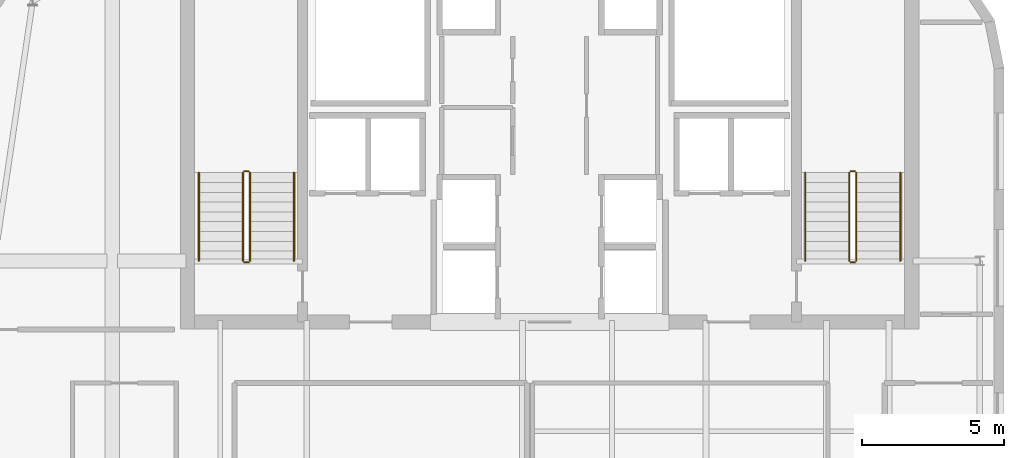
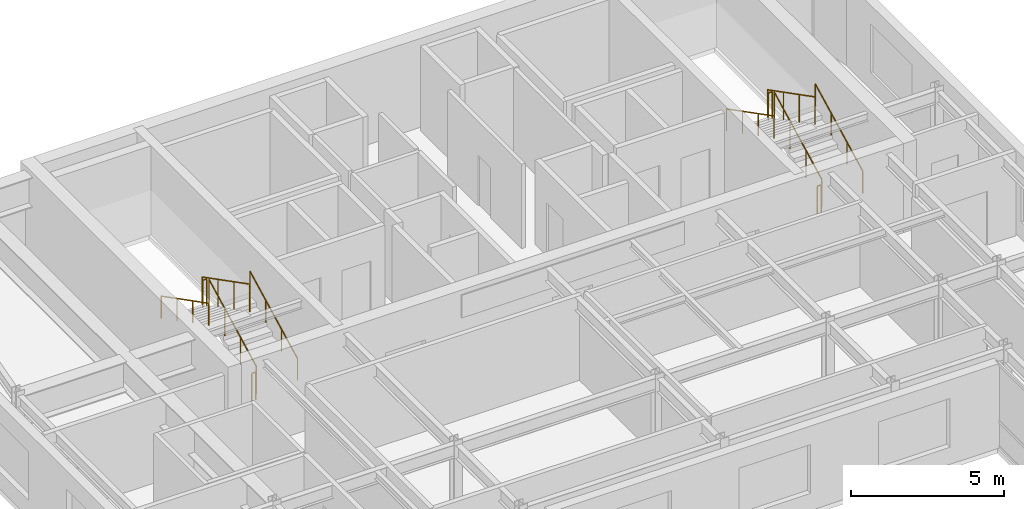
# One storey, part 18 of 18: 12 railings.
"""IFC4 building model written with IfcOpenShell, lengths in metres."""

from ifc_helpers import new_model, si_unit, direction, frame, origin, origin_2d, place, context, subcontext, project, spatial, circle, extrude, material, type_object, element, save


model = new_model("IFC4")

# Units and contexts
model_context = context("Model", 3, precision=1e-05, world=origin(), true_north=direction((0.0, 1.0)))
body_context = subcontext(model_context, "Body", "Model", "MODEL_VIEW")
ifc_project = project(units=[si_unit("LENGTHUNIT", "METRE"), si_unit("AREAUNIT", "SQUARE_METRE"), si_unit("VOLUMEUNIT", "CUBIC_METRE"), si_unit("PLANEANGLEUNIT", "RADIAN"), si_unit("MASSUNIT", "GRAM", prefix="KILO")], contexts=[model_context])

# Site, building, storey
site_placement = place(None, origin())
site = spatial("IfcSite", under=ifc_project, at=site_placement, CompositionType="ELEMENT")
building_placement = place(site_placement, origin())
building = spatial("IfcBuilding", under=site, at=building_placement, Name="Tolvann Quenvar Hotel", CompositionType="ELEMENT")
storey_placement = place(building_placement, frame((0.0, 0.0, 245.199951171875)))
storey = spatial("IfcBuildingStorey", under=building, at=storey_placement, Name="L65", CompositionType="ELEMENT", Elevation=245.199951171875)

# Railings
ifc_material = material(Name="Brushed 316 stainless steel balustrade and handrail", Category="steel")
railing_type_1 = type_object("IfcRailingType", Name="GUARDRAIL", PredefinedType="GUARDRAIL", material=ifc_material)
railing_1_placement = place(storey_placement, frame((12.449951171875, 34.0, 0.177490234375)))
element("IfcRailing", 1, at=railing_1_placement, inside=storey, type_object=railing_type_1, Name="L65 ST-C1 stair guard 1", PredefinedType="GUARDRAIL", context=body_context, shape_type="SweptSolid", body=[
    extrude(circle(Radius=0.02392578125, at=origin_2d()), frame((0.0, 0.0, 1.09619140625), z_axis=(0.0, 0.88919353882, 0.457531256332), x_axis=(-1.0, 0.0, 0.0)), (0.0, 0.0, 1.0), 3.491943359375),
    extrude(circle(Radius=0.02099609375, at=origin_2d()), origin(), (0.0, 0.0, 1.0), 1.072021484375),
    extrude(circle(Radius=0.02099609375, at=origin_2d()), frame((0.0, 1.034912109375, 0.532470703125)), (0.0, 0.0, 1.0), 1.072021484375),
    extrude(circle(Radius=0.02099609375, at=origin_2d()), frame((0.0, 2.070068359375, 1.065185546875)), (0.0, 0.0, 1.0), 1.072021484375),
    extrude(circle(Radius=0.02099609375, at=origin_2d()), frame((0.0, 3.10498046875, 1.59765625)), (0.0, 0.0, 1.0), 1.072021484375),
])
railing_2_placement = place(storey_placement, frame((12.39990234375, 37.155029296875, 1.775146484375)))
element("IfcRailing", 2, at=railing_2_placement, inside=storey, type_object=railing_type_1, Name="L65 ST-C1 stair guard 2", PredefinedType="GUARDRAIL", context=body_context, shape_type="SweptSolid", body=[
    extrude(circle(Radius=0.02392578125, at=origin_2d()), frame((0.0, 0.0, 1.09619140625), z_axis=(-1.0, 0.0, 0.0), x_axis=(0.0, -1.0, 0.0)), (0.0, 0.0, 1.0), 0.14990234375),
    extrude(circle(Radius=0.02099609375, at=origin_2d()), origin(), (0.0, 0.0, 1.0), 1.072021484375),
    extrude(circle(Radius=0.02099609375, at=origin_2d()), frame((-0.14990234375, 0.0, 0.0)), (0.0, 0.0, 1.0), 1.072021484375),
])
railing_3_placement = place(storey_placement, frame((12.199951171875, 37.10498046875, 1.95263671875)))
element("IfcRailing", 3, at=railing_3_placement, inside=storey, type_object=railing_type_1, Name="L65 ST-C1 stair guard 3", PredefinedType="GUARDRAIL", context=body_context, shape_type="SweptSolid", body=[
    extrude(circle(Radius=0.02392578125, at=origin_2d()), frame((0.0, 0.0, 1.09619140625), z_axis=(0.0, -0.889221982265, 0.45747597342), x_axis=(1.0, 0.0, 0.0)), (0.0, 0.0, 1.0), 3.49169921875),
    extrude(circle(Radius=0.02099609375, at=origin_2d()), origin(), (0.0, 0.0, 1.0), 1.072021484375),
    extrude(circle(Radius=0.02099609375, at=origin_2d()), frame((0.0, -1.034912109375, 0.532470703125)), (0.0, 0.0, 1.0), 1.072021484375),
    extrude(circle(Radius=0.02099609375, at=origin_2d()), frame((0.0, -2.070068359375, 1.06494140625)), (0.0, 0.0, 1.0), 1.072021484375),
    extrude(circle(Radius=0.02099609375, at=origin_2d()), frame((0.0, -3.10498046875, 1.597412109375)), (0.0, 0.0, 1.0), 1.072021484375),
])
railing_4_placement = place(storey_placement, frame((12.39990234375, 33.949951171875, 0.0)))
element("IfcRailing", 4, at=railing_4_placement, inside=storey, type_object=railing_type_1, Name="L65 ST-C1 stair guard 4", PredefinedType="GUARDRAIL", context=body_context, shape_type="SweptSolid", body=[
    extrude(circle(Radius=0.02392578125, at=origin_2d()), frame((0.0, 0.0, 1.09619140625), z_axis=(-1.0, 0.0, 0.0), x_axis=(0.0, -1.0, 0.0)), (0.0, 0.0, 1.0), 0.14990234375),
    extrude(circle(Radius=0.02099609375, at=origin_2d()), origin(), (0.0, 0.0, 1.0), 1.072021484375),
    extrude(circle(Radius=0.02099609375, at=origin_2d()), frame((-0.14990234375, 0.0, 0.0)), (0.0, 0.0, 1.0), 1.072021484375),
])
railing_5_placement = place(storey_placement, frame((33.800048828125, 34.0, 0.177490234375)))
element("IfcRailing", 5, at=railing_5_placement, inside=storey, type_object=railing_type_1, Name="L65 ST-C2 stair guard 1", PredefinedType="GUARDRAIL", context=body_context, shape_type="SweptSolid", body=[
    extrude(circle(Radius=0.02392578125, at=origin_2d()), frame((0.0, 0.0, 1.09619140625), z_axis=(0.0, 0.88919353882, 0.457531256332), x_axis=(-1.0, 0.0, 0.0)), (0.0, 0.0, 1.0), 3.491943359375),
    extrude(circle(Radius=0.02099609375, at=origin_2d()), origin(), (0.0, 0.0, 1.0), 1.072021484375),
    extrude(circle(Radius=0.02099609375, at=origin_2d()), frame((0.0, 1.034912109375, 0.532470703125)), (0.0, 0.0, 1.0), 1.072021484375),
    extrude(circle(Radius=0.02099609375, at=origin_2d()), frame((0.0, 2.070068359375, 1.065185546875)), (0.0, 0.0, 1.0), 1.072021484375),
    extrude(circle(Radius=0.02099609375, at=origin_2d()), frame((0.0, 3.10498046875, 1.59765625)), (0.0, 0.0, 1.0), 1.072021484375),
])
railing_6_placement = place(storey_placement, frame((33.75, 37.155029296875, 1.775146484375)))
element("IfcRailing", 6, at=railing_6_placement, inside=storey, type_object=railing_type_1, Name="L65 ST-C2 stair guard 2", PredefinedType="GUARDRAIL", context=body_context, shape_type="SweptSolid", body=[
    extrude(circle(Radius=0.02392578125, at=origin_2d()), frame((0.0, 0.0, 1.09619140625), z_axis=(-1.0, 0.0, 0.0), x_axis=(0.0, -1.0, 0.0)), (0.0, 0.0, 1.0), 0.14990234375),
    extrude(circle(Radius=0.02099609375, at=origin_2d()), origin(), (0.0, 0.0, 1.0), 1.072021484375),
    extrude(circle(Radius=0.02099609375, at=origin_2d()), frame((-0.14990234375, 0.0, 0.0)), (0.0, 0.0, 1.0), 1.072021484375),
])
railing_7_placement = place(storey_placement, frame((33.550048828125, 37.10498046875, 1.95263671875)))
element("IfcRailing", 7, at=railing_7_placement, inside=storey, type_object=railing_type_1, Name="L65 ST-C2 stair guard 3", PredefinedType="GUARDRAIL", context=body_context, shape_type="SweptSolid", body=[
    extrude(circle(Radius=0.02392578125, at=origin_2d()), frame((0.0, 0.0, 1.09619140625), z_axis=(0.0, -0.889221982265, 0.45747597342), x_axis=(1.0, 0.0, 0.0)), (0.0, 0.0, 1.0), 3.49169921875),
    extrude(circle(Radius=0.02099609375, at=origin_2d()), origin(), (0.0, 0.0, 1.0), 1.072021484375),
    extrude(circle(Radius=0.02099609375, at=origin_2d()), frame((0.0, -1.034912109375, 0.532470703125)), (0.0, 0.0, 1.0), 1.072021484375),
    extrude(circle(Radius=0.02099609375, at=origin_2d()), frame((0.0, -2.070068359375, 1.06494140625)), (0.0, 0.0, 1.0), 1.072021484375),
    extrude(circle(Radius=0.02099609375, at=origin_2d()), frame((0.0, -3.10498046875, 1.597412109375)), (0.0, 0.0, 1.0), 1.072021484375),
])
railing_8_placement = place(storey_placement, frame((33.75, 33.949951171875, 0.0)))
element("IfcRailing", 8, at=railing_8_placement, inside=storey, type_object=railing_type_1, Name="L65 ST-C2 stair guard 4", PredefinedType="GUARDRAIL", context=body_context, shape_type="SweptSolid", body=[
    extrude(circle(Radius=0.02392578125, at=origin_2d()), frame((0.0, 0.0, 1.09619140625), z_axis=(-1.0, 0.0, 0.0), x_axis=(0.0, -1.0, 0.0)), (0.0, 0.0, 1.0), 0.14990234375),
    extrude(circle(Radius=0.02099609375, at=origin_2d()), origin(), (0.0, 0.0, 1.0), 1.072021484375),
    extrude(circle(Radius=0.02099609375, at=origin_2d()), frame((-0.14990234375, 0.0, 0.0)), (0.0, 0.0, 1.0), 1.072021484375),
])
railing_type_2 = type_object("IfcRailingType", Name="HANDRAIL", PredefinedType="HANDRAIL", material=ifc_material)
railing_9_placement = place(storey_placement, frame((14.0, 34.0, 0.177490234375)))
element("IfcRailing", 9, at=railing_9_placement, inside=storey, type_object=railing_type_2, Name="L65 ST-C1 stair handrail 1", PredefinedType="HANDRAIL", context=body_context, shape_type="SweptSolid", body=[
    extrude(circle(Radius=0.02392578125, at=origin_2d()), frame((0.0, 0.0, 0.8759765625), z_axis=(0.0, 0.88919353882, 0.457531256332), x_axis=(-1.0, 0.0, 0.0)), (0.0, 0.0, 1.0), 3.491943359375),
    extrude(circle(Radius=0.02099609375, at=origin_2d()), origin(), (0.0, 0.0, 1.0), 0.851806640625),
    extrude(circle(Radius=0.02099609375, at=origin_2d()), frame((0.0, 1.034912109375, 0.532470703125)), (0.0, 0.0, 1.0), 0.851806640625),
    extrude(circle(Radius=0.02099609375, at=origin_2d()), frame((0.0, 2.070068359375, 1.065185546875)), (0.0, 0.0, 1.0), 0.851806640625),
    extrude(circle(Radius=0.02099609375, at=origin_2d()), frame((0.0, 3.10498046875, 1.59765625)), (0.0, 0.0, 1.0), 0.851806640625),
])
railing_10_placement = place(storey_placement, frame((10.64990234375, 37.10498046875, 1.95263671875)))
element("IfcRailing", 10, at=railing_10_placement, inside=storey, type_object=railing_type_2, Name="L65 ST-C1 stair handrail 2", PredefinedType="HANDRAIL", context=body_context, shape_type="SweptSolid", body=[
    extrude(circle(Radius=0.02392578125, at=origin_2d()), frame((0.0, 0.0, 0.8759765625), z_axis=(0.0, -0.889221982265, 0.45747597342), x_axis=(1.0, 0.0, 0.0)), (0.0, 0.0, 1.0), 3.49169921875),
    extrude(circle(Radius=0.02099609375, at=origin_2d()), origin(), (0.0, 0.0, 1.0), 0.851806640625),
    extrude(circle(Radius=0.02099609375, at=origin_2d()), frame((0.0, -1.034912109375, 0.532470703125)), (0.0, 0.0, 1.0), 0.851806640625),
    extrude(circle(Radius=0.02099609375, at=origin_2d()), frame((0.0, -2.070068359375, 1.06494140625)), (0.0, 0.0, 1.0), 0.851806640625),
    extrude(circle(Radius=0.02099609375, at=origin_2d()), frame((0.0, -3.10498046875, 1.597412109375)), (0.0, 0.0, 1.0), 0.851806640625),
])
railing_11_placement = place(storey_placement, frame((35.35009765625, 34.0, 0.177490234375)))
element("IfcRailing", 11, at=railing_11_placement, inside=storey, type_object=railing_type_2, Name="L65 ST-C2 stair handrail 1", PredefinedType="HANDRAIL", context=body_context, shape_type="SweptSolid", body=[
    extrude(circle(Radius=0.02392578125, at=origin_2d()), frame((0.0, 0.0, 0.8759765625), z_axis=(0.0, 0.88919353882, 0.457531256332), x_axis=(-1.0, 0.0, 0.0)), (0.0, 0.0, 1.0), 3.491943359375),
    extrude(circle(Radius=0.02099609375, at=origin_2d()), origin(), (0.0, 0.0, 1.0), 0.851806640625),
    extrude(circle(Radius=0.02099609375, at=origin_2d()), frame((0.0, 1.034912109375, 0.532470703125)), (0.0, 0.0, 1.0), 0.851806640625),
    extrude(circle(Radius=0.02099609375, at=origin_2d()), frame((0.0, 2.070068359375, 1.065185546875)), (0.0, 0.0, 1.0), 0.851806640625),
    extrude(circle(Radius=0.02099609375, at=origin_2d()), frame((0.0, 3.10498046875, 1.59765625)), (0.0, 0.0, 1.0), 0.851806640625),
])
railing_12_placement = place(storey_placement, frame((32.0, 37.10498046875, 1.95263671875)))
element("IfcRailing", 12, at=railing_12_placement, inside=storey, type_object=railing_type_2, Name="L65 ST-C2 stair handrail 2", PredefinedType="HANDRAIL", context=body_context, shape_type="SweptSolid", body=[
    extrude(circle(Radius=0.02392578125, at=origin_2d()), frame((0.0, 0.0, 0.8759765625), z_axis=(0.0, -0.889221982265, 0.45747597342), x_axis=(1.0, 0.0, 0.0)), (0.0, 0.0, 1.0), 3.49169921875),
    extrude(circle(Radius=0.02099609375, at=origin_2d()), origin(), (0.0, 0.0, 1.0), 0.851806640625),
    extrude(circle(Radius=0.02099609375, at=origin_2d()), frame((0.0, -1.034912109375, 0.532470703125)), (0.0, 0.0, 1.0), 0.851806640625),
    extrude(circle(Radius=0.02099609375, at=origin_2d()), frame((0.0, -2.070068359375, 1.06494140625)), (0.0, 0.0, 1.0), 0.851806640625),
    extrude(circle(Radius=0.02099609375, at=origin_2d()), frame((0.0, -3.10498046875, 1.597412109375)), (0.0, 0.0, 1.0), 0.851806640625),
])

save(model, "model.ifc")
